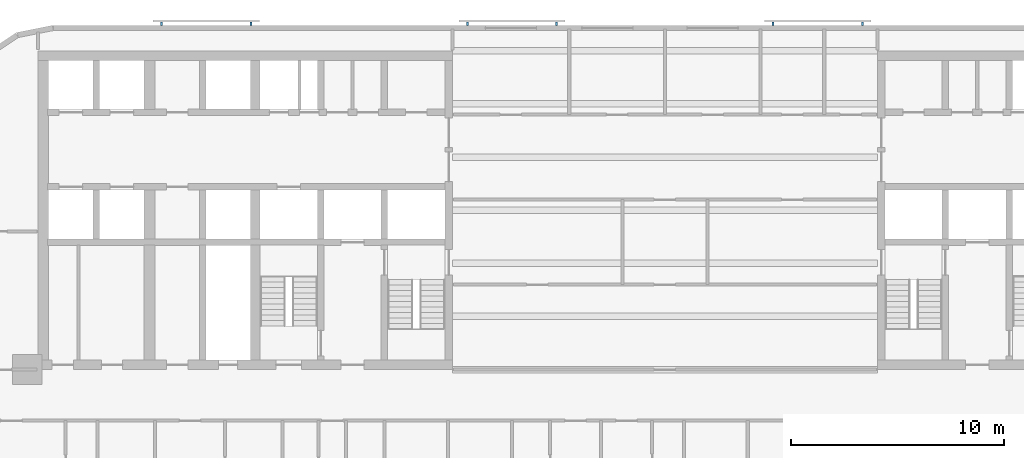
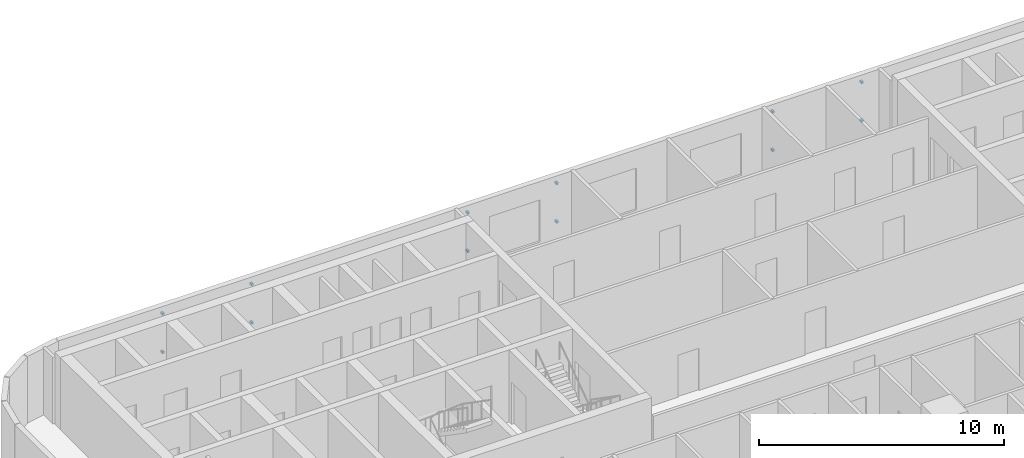
# One storey, part 9 of 13: 12 discrete accessories.
"""IFC4 building model written with IfcOpenShell, lengths in metres."""

from ifc_helpers import new_model, si_unit, direction, frame, origin, origin_2d, place, context, subcontext, project, spatial, rectangle, extrude, material, type_object, element, save


model = new_model("IFC4")

# Units and contexts
model_context = context("Model", 3, precision=1e-05, world=origin(), true_north=direction((0.0, 1.0)))
body_context = subcontext(model_context, "Body", "Model", "MODEL_VIEW")
ifc_project = project(units=[si_unit("LENGTHUNIT", "METRE"), si_unit("AREAUNIT", "SQUARE_METRE"), si_unit("VOLUMEUNIT", "CUBIC_METRE"), si_unit("PLANEANGLEUNIT", "RADIAN"), si_unit("MASSUNIT", "GRAM", prefix="KILO")], contexts=[model_context])

# Site, building, storey
site_placement = place(None, origin())
site = spatial("IfcSite", under=ifc_project, at=site_placement, CompositionType="ELEMENT")
building_placement = place(site_placement, origin())
building = spatial("IfcBuilding", under=site, at=building_placement, Name="Torana Hotel and Residences", CompositionType="ELEMENT")
storey_placement = place(building_placement, frame((0.0, 0.0, 78.0)))
storey = spatial("IfcBuildingStorey", under=building, at=storey_placement, Name="L19", CompositionType="ELEMENT", Elevation=78.0)

# Discrete accessories
ifc_material = material(Name="Steel S355", Category="steel")
discrete_accessory_type = type_object("IfcDiscreteAccessoryType", Name="SCREEN BRACKET 100", PredefinedType="BRACKET", material=ifc_material)
for number, where, z_axis, x_axis, name in (
    (1, (9.293701171875, 1.27490234375, 0.75), (0.0, 0.0, 1.0), (-1.0, 0.0, 0.0), "Screen bracket L19"),
    (2, (9.293701171875, 1.27490234375, 2.669921875), (0.0, 0.0, 1.0), (-1.0, 0.0, 0.0), "Screen bracket L19"),
    (3, (5.09375, 1.27490234375, 0.75), (0.0, 0.0, 1.0), (-1.0, 0.0, 0.0), "Screen bracket L19"),
    (4, (5.09375, 1.27490234375, 2.669921875), (0.0, 0.0, 1.0), (-1.0, 0.0, 0.0), "Screen bracket L19"),
    (5, (-5.09375, 1.27490234375, 0.75), (0.0, 0.0, 1.0), (-1.0, 0.0, 0.0), "Screen bracket L19"),
    (6, (-5.09375, 1.27490234375, 2.669921875), (0.0, 0.0, 1.0), (-1.0, 0.0, 0.0), "Screen bracket L19"),
    (7, (-9.293701171875, 1.27490234375, 0.75), (0.0, 0.0, 1.0), (-1.0, 0.0, 0.0), "Screen bracket L19"),
    (8, (-9.293701171875, 1.27490234375, 2.669921875), (0.0, 0.0, 1.0), (-1.0, 0.0, 0.0), "Screen bracket L19"),
    (9, (-19.4814453125, 1.27490234375, 0.75), (0.0, 0.0, 1.0), (-1.0, 0.0, 0.0), "Screen bracket L19"),
    (10, (-19.4814453125, 1.27490234375, 2.669921875), (0.0, 0.0, 1.0), (-1.0, 0.0, 0.0), "Screen bracket L19"),
    (11, (-23.681396484375, 1.27490234375, 0.75), (0.0, 0.0, 1.0), (-1.0, 0.0, 0.0), "Screen bracket L19"),
    (12, (-23.681396484375, 1.27490234375, 2.669921875), (0.0, 0.0, 1.0), (-1.0, 0.0, 0.0), "Screen bracket L19"),
):
    element("IfcDiscreteAccessory", number, at=place(storey_placement, frame(where, z_axis=z_axis, x_axis=x_axis)), inside=storey, type_object=discrete_accessory_type, Name=name, PredefinedType="BRACKET", context=body_context, shape_type="SweptSolid", body=[
        extrude(rectangle(XDim=0.10009765625, YDim=0.14990234375, at=origin_2d()), origin(), (0.0, 0.0, 1.0), 0.10009765625),
    ])

save(model, "model.ifc")
